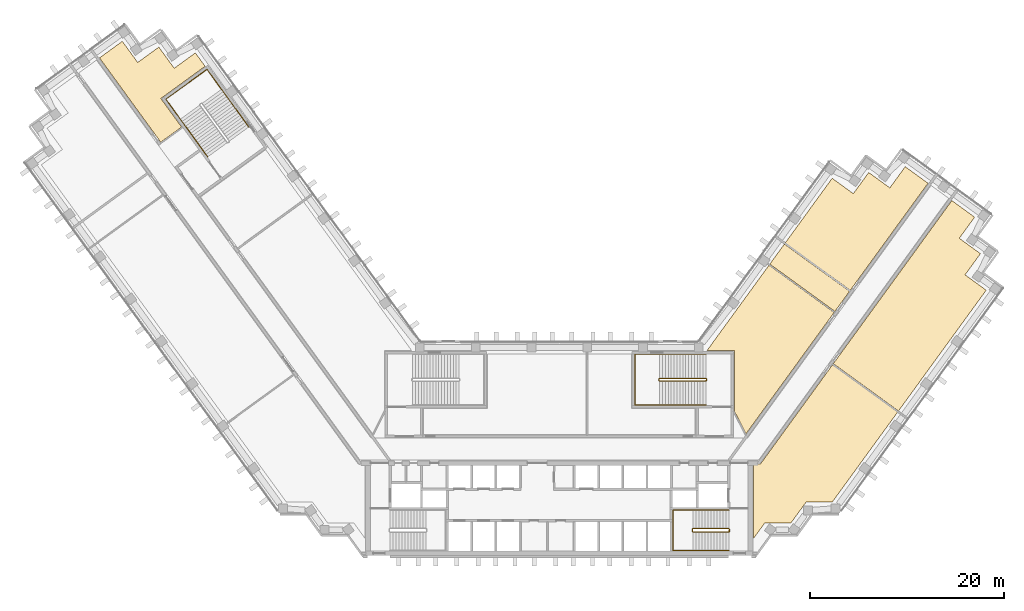
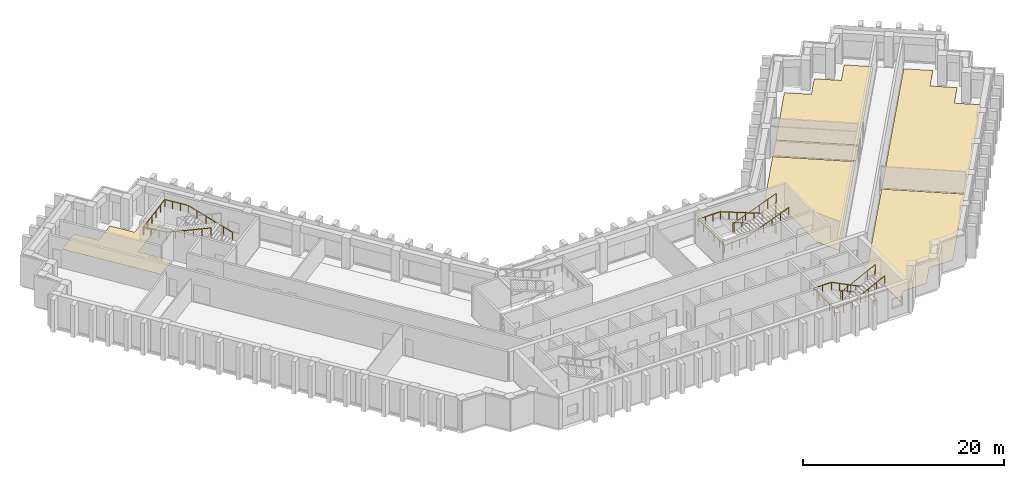
# One storey, part 11 of 11: 6 coverings, 5 railings.
"""IFC4 building model written with IfcOpenShell, lengths in metres."""

from ifc_helpers import new_model, si_unit, direction, frame, origin, origin_2d, place, context, subcontext, project, spatial, polyline, circle, outline, extrude, material, layer, layer_set, type_object, element, save


model = new_model("IFC4")

# Units and contexts
model_context = context("Model", 3, precision=1e-05, world=origin(), true_north=direction((0.0, 1.0)))
body_context = subcontext(model_context, "Body", "Model", "MODEL_VIEW")
ifc_project = project(units=[si_unit("LENGTHUNIT", "METRE"), si_unit("AREAUNIT", "SQUARE_METRE"), si_unit("VOLUMEUNIT", "CUBIC_METRE"), si_unit("PLANEANGLEUNIT", "RADIAN"), si_unit("MASSUNIT", "GRAM", prefix="KILO")], contexts=[model_context])

# Site, building, storey
site_placement = place(None, origin())
site = spatial("IfcSite", under=ifc_project, at=site_placement, CompositionType="ELEMENT")
building_placement = place(site_placement, origin())
building = spatial("IfcBuilding", under=site, at=building_placement, Name="Quipu Civic Tower", CompositionType="ELEMENT")
storey_placement = place(building_placement, frame((0.0, 0.0, 117.0)))
storey = spatial("IfcBuildingStorey", under=building, at=storey_placement, Name="L27", CompositionType="ELEMENT", Elevation=117.0)

# Coverings
ifc_material_1 = material(Name="Carpet tile on raised access floor")
ifc_layer_1 = layer(ifc_material_1, 0.02001953125)
ifc_layer_set_1 = layer_set([ifc_layer_1], Name="Carpet tile on raised access floor")
covering_type_1 = type_object("IfcCoveringType", Name="Carpet tile floor finish 20", PredefinedType="FLOORING", material=ifc_layer_set_1)
covering_1_placement = place(storey_placement, origin())
element("IfcCovering", 1, at=covering_1_placement, inside=storey, type_object=covering_type_1, Name="Carpet tile floor finish 20", PredefinedType="FLOORING", context=body_context, shape_type="SweptSolid", body=[
    extrude(outline(polyline([(15.238037109375, 10.169921875), (21.64794921875, 18.992919921875), (28.37109375, 14.10888671875), (19.27197265625, 1.583984375), (18.070068359375, 3.94189453125), (18.070068359375, 10.1689453125), (15.238037109375, 10.169921875)])), origin(), (0.0, 0.0, 1.0), 0.02001953125),
])
covering_2_placement = place(storey_placement, origin())
element("IfcCovering", 2, at=covering_2_placement, inside=storey, type_object=covering_type_1, Name="Carpet tile floor finish 20", PredefinedType="FLOORING", context=body_context, shape_type="SweptSolid", body=[
    extrude(outline(polyline([(20.070068359375, -9.195068359375), (20.070068359375, -1.52001953125), (20.77490234375, -1.51904296875), (28.208984375, 8.714111328125), (34.931884765625, 3.830078125), (28.181884765625, -5.4609375), (25.48193359375, -5.4619140625), (25.2080078125, -5.840087890625), (25.205078125, -5.841064453125), (25.200927734375, -5.843017578125), (25.197021484375, -5.844970703125), (25.193115234375, -5.847900390625), (25.18896484375, -5.85205078125), (25.18603515625, -5.85498046875), (25.18310546875, -5.85888671875), (25.179931640625, -5.863037109375), (25.177978515625, -5.867919921875), (25.177001953125, -5.8720703125), (25.175048828125, -5.876953125), (25.175048828125, -5.882080078125), (25.174072265625, -5.885986328125), (23.89501953125, -7.64599609375), (21.721923828125, -7.64599609375), (21.721923828125, -7.64599609375), (21.718017578125, -7.64306640625), (21.712890625, -7.64111328125), (21.708984375, -7.638916015625), (21.7041015625, -7.637939453125), (21.698974609375, -7.636962890625), (21.694091796875, -7.635986328125), (21.68896484375, -7.636962890625), (21.68408203125, -7.636962890625), (21.679931640625, -7.637939453125), (21.675048828125, -7.639892578125), (21.669921875, -7.64111328125), (21.666015625, -7.64404296875), (21.6630859375, -7.64599609375), (21.196044921875, -7.64599609375), (20.070068359375, -9.195068359375)])), origin(), (0.0, 0.0, 1.0), 0.02001953125),
])
covering_3_placement = place(storey_placement, origin())
element("IfcCovering", 3, at=covering_3_placement, inside=storey, type_object=covering_type_1, Name="Carpet tile floor finish 20", PredefinedType="FLOORING", context=body_context, shape_type="SweptSolid", body=[
    extrude(outline(polyline([(-47.471923828125, 40.39794921875), (-45.116943359375, 42.10791015625), (-43.531982421875, 39.925048828125), (-41.346923828125, 41.510986328125), (-39.760009765625, 39.326904296875), (-37.574951171875, 40.9130859375), (-36.570068359375, 39.530029296875), (-41.139892578125, 36.208984375), (-38.998046875, 33.260009765625), (-41.15087890625, 31.697021484375), (-47.471923828125, 40.39794921875)])), origin(), (0.0, 0.0, 1.0), 0.02001953125),
])
covering_4_placement = place(storey_placement, origin())
element("IfcCovering", 4, at=covering_4_placement, inside=storey, type_object=covering_type_1, Name="Carpet tile floor finish 20", PredefinedType="FLOORING", context=body_context, shape_type="SweptSolid", body=[
    extrude(outline(polyline([(28.2919921875, 8.826904296875), (40.52587890625, 25.666015625), (42.881103515625, 23.9560546875), (41.294921875, 21.77197265625), (43.47802734375, 20.18505859375), (41.89208984375, 17.9990234375), (44.074951171875, 16.4140625), (35.01611328125, 3.943115234375), (28.2919921875, 8.826904296875)])), origin(), (0.0, 0.0, 1.0), 0.02001953125),
])
ifc_material_2 = material(Name="Ceramic floor tile")
ifc_layer_2 = layer(ifc_material_2, 0.030029296875)
ifc_layer_set_2 = layer_set([ifc_layer_2], Name="Ceramic floor tile")
covering_type_2 = type_object("IfcCoveringType", Name="Ceramic tile floor finish 30", PredefinedType="FLOORING", material=ifc_layer_set_2)
covering_5_placement = place(storey_placement, origin())
element("IfcCovering", 5, at=covering_5_placement, inside=storey, type_object=covering_type_2, Name="Ceramic tile floor finish 30", PredefinedType="FLOORING", context=body_context, shape_type="SweptSolid", body=[
    extrude(outline(polyline([(21.73095703125, 19.10595703125), (23.235107421875, 21.177001953125), (29.9580078125, 16.29296875), (28.4541015625, 14.221923828125), (21.73095703125, 19.10595703125)])), origin(), (0.0, 0.0, 1.0), 0.030029296875),
])
ifc_material_3 = material(Name="Sealed cement screed")
ifc_layer_3 = layer(ifc_material_3, 0.050048828125)
ifc_layer_set_3 = layer_set([ifc_layer_3], Name="Sealed cement screed")
covering_type_3 = type_object("IfcCoveringType", Name="Sealed screed floor finish 50", PredefinedType="FLOORING", material=ifc_layer_set_3)
covering_6_placement = place(storey_placement, origin())
element("IfcCovering", 6, at=covering_6_placement, inside=storey, type_object=covering_type_3, Name="Sealed screed floor finish 50", PredefinedType="FLOORING", context=body_context, shape_type="SweptSolid", body=[
    extrude(outline(polyline([(23.318115234375, 21.2900390625), (28.169921875, 27.968994140625), (30.35400390625, 26.383056640625), (31.94091796875, 28.56591796875), (34.126953125, 26.97998046875), (35.712890625, 29.1640625), (38.06689453125, 27.4541015625), (30.041015625, 16.406005859375), (23.318115234375, 21.2900390625)])), origin(), (0.0, 0.0, 1.0), 0.050048828125),
])

# Railings
ifc_material_4 = material(Name="Stainless steel", Category="steel")
railing_type_1 = type_object("IfcRailingType", Name="Stair guard 1100", PredefinedType="GUARDRAIL", material=ifc_material_4)
railing_1_placement = place(storey_placement, frame((17.5, -8.199951171875, 0.15380859375)))
element("IfcRailing", 7, at=railing_1_placement, inside=storey, type_object=railing_type_1, Name="Stair 2 guard", PredefinedType="GUARDRAIL", context=body_context, shape_type="SweptSolid", body=[
    extrude(circle(Radius=0.02392578125, at=origin_2d()), frame((0.0, 0.0, 1.076171875), z_axis=(-0.895751851347, 0.0, 0.444554407028), x_axis=(0.0, -1.0, 0.0)), (0.0, 0.0, 1.0), 4.15283203125),
    extrude(circle(Radius=0.02392578125, at=origin_2d()), frame((-3.719970703125, 0.0, 2.92236328125), z_axis=(-0.707106781187, -0.707106781187, 0.0), x_axis=(0.707106781187, -0.707106781187, 0.0)), (0.0, 0.0, 1.0), 0.07080078125),
    extrude(circle(Radius=0.02392578125, at=origin_2d()), frame((-3.77001953125, -0.050048828125, 2.92236328125), z_axis=(0.0, -1.0, 0.0), x_axis=(1.0, 0.0, 0.0)), (0.0, 0.0, 1.0), 0.25),
    extrude(circle(Radius=0.02392578125, at=origin_2d()), frame((-3.77001953125, -0.300048828125, 2.92236328125), z_axis=(0.295599637079, -0.295599637079, 0.908428152975), x_axis=(0.707106781187, 0.707106781187, 0.0)), (0.0, 0.0, 1.0), 0.16943359375),
    extrude(circle(Radius=0.02392578125, at=origin_2d()), frame((-3.719970703125, -0.35009765625, 3.076171875), z_axis=(0.895751851347, 0.0, 0.444554407028), x_axis=(0.0, 1.0, 0.0)), (0.0, 0.0, 1.0), 4.15283203125),
    extrude(circle(Radius=0.02392578125, at=origin_2d()), frame((0.0, -0.35009765625, 4.92236328125), z_axis=(0.012476181752, 0.074796231092, -0.997120789425), x_axis=(-0.986372223864, 0.164529134168, 0.0)), (0.0, 0.0, 1.0), 4.011474609375),
    extrude(circle(Radius=0.02392578125, at=origin_2d()), frame((0.050048828125, -0.050048828125, 0.92236328125), z_axis=(0.0, -1.0, 0.0), x_axis=(1.0, 0.0, 0.0)), (0.0, 0.0, 1.0), 0.25),
    extrude(circle(Radius=0.02099609375, at=origin_2d()), origin(), (0.0, 0.0, 1.0), 1.052001953125),
    extrude(circle(Radius=0.02099609375, at=origin_2d()), frame((-0.929931640625, 0.0, 0.46142578125)), (0.0, 0.0, 1.0), 1.052001953125),
    extrude(circle(Radius=0.02099609375, at=origin_2d()), frame((-1.85986328125, 0.0, 0.923095703125)), (0.0, 0.0, 1.0), 1.052001953125),
    extrude(circle(Radius=0.02099609375, at=origin_2d()), frame((-2.7900390625, 0.0, 1.384765625)), (0.0, 0.0, 1.0), 1.052001953125),
    extrude(circle(Radius=0.02099609375, at=origin_2d()), frame((-3.719970703125, 0.0, 1.84619140625)), (0.0, 0.0, 1.0), 1.052001953125),
    extrude(circle(Radius=0.02099609375, at=origin_2d()), frame((-3.77001953125, -0.050048828125, 1.84619140625)), (0.0, 0.0, 1.0), 1.052001953125),
    extrude(circle(Radius=0.02099609375, at=origin_2d()), frame((-3.77001953125, -0.300048828125, 1.84619140625)), (0.0, 0.0, 1.0), 1.052001953125),
    extrude(circle(Radius=0.02099609375, at=origin_2d()), frame((-3.719970703125, -0.35009765625, 2.0)), (0.0, 0.0, 1.0), 1.052001953125),
    extrude(circle(Radius=0.02099609375, at=origin_2d()), frame((-2.7900390625, -0.35009765625, 2.46142578125)), (0.0, 0.0, 1.0), 1.052001953125),
    extrude(circle(Radius=0.02099609375, at=origin_2d()), frame((-1.85986328125, -0.35009765625, 2.923095703125)), (0.0, 0.0, 1.0), 1.052001953125),
    extrude(circle(Radius=0.02099609375, at=origin_2d()), frame((-0.929931640625, -0.35009765625, 3.384765625)), (0.0, 0.0, 1.0), 1.052001953125),
    extrude(circle(Radius=0.02099609375, at=origin_2d()), frame((0.0, -0.35009765625, 3.84619140625)), (0.0, 0.0, 1.0), 1.052001953125),
    extrude(circle(Radius=0.02099609375, at=origin_2d()), frame((0.012451171875, -0.275146484375, 2.84619140625)), (0.0, 0.0, 1.0), 1.052001953125),
    extrude(circle(Radius=0.02099609375, at=origin_2d()), frame((0.02490234375, -0.2001953125, 1.84619140625)), (0.0, 0.0, 1.0), 1.052001953125),
    extrude(circle(Radius=0.02099609375, at=origin_2d()), frame((0.03759765625, -0.125, 0.84619140625)), (0.0, 0.0, 1.0), 1.052001953125),
    extrude(circle(Radius=0.02099609375, at=origin_2d()), frame((0.050048828125, -0.050048828125, -0.15380859375)), (0.0, 0.0, 1.0), 1.052001953125),
    extrude(circle(Radius=0.02099609375, at=origin_2d()), frame((0.050048828125, -0.300048828125, -0.15380859375)), (0.0, 0.0, 1.0), 1.052001953125),
])
railing_2_placement = place(storey_placement, frame((15.14990234375, 7.300048828125, 0.11767578125)))
element("IfcRailing", 8, at=railing_2_placement, inside=storey, type_object=railing_type_1, Name="Stair 4 guard", PredefinedType="GUARDRAIL", context=body_context, shape_type="SweptSolid", body=[
    extrude(circle(Radius=0.02392578125, at=origin_2d()), frame((0.0, 0.0, 1.076171875), z_axis=(-0.930970042603, 0.0, 0.365095576219), x_axis=(0.0, -1.0, 0.0)), (0.0, 0.0, 1.0), 5.15576171875),
    extrude(circle(Radius=0.02392578125, at=origin_2d()), frame((-4.7998046875, 0.0, 2.95849609375), z_axis=(-0.707106781187, -0.707106781187, 0.0), x_axis=(0.707106781187, -0.707106781187, 0.0)), (0.0, 0.0, 1.0), 0.07080078125),
    extrude(circle(Radius=0.02392578125, at=origin_2d()), frame((-4.849853515625, -0.050048828125, 2.95849609375), z_axis=(0.0, -1.0, 0.0), x_axis=(1.0, 0.0, 0.0)), (0.0, 0.0, 1.0), 0.14990234375),
    extrude(circle(Radius=0.02392578125, at=origin_2d()), frame((-4.849853515625, -0.199951171875, 2.95849609375), z_axis=(0.364463019033, -0.364463019033, 0.856932561824), x_axis=(0.707106781187, 0.707106781187, 0.0)), (0.0, 0.0, 1.0), 0.13720703125),
    extrude(circle(Radius=0.02392578125, at=origin_2d()), frame((-4.7998046875, -0.25, 3.076171875), z_axis=(0.930970042603, 0.0, 0.365095576219), x_axis=(0.0, 1.0, 0.0)), (0.0, 0.0, 1.0), 5.15576171875),
    extrude(circle(Radius=0.02392578125, at=origin_2d()), frame((0.0, -0.25, 4.95849609375), z_axis=(0.012495627992, 0.049921557685, -0.998674970829), x_axis=(-0.970072785993, 0.242814311512, 0.0)), (0.0, 0.0, 1.0), 4.00537109375),
    extrude(circle(Radius=0.02392578125, at=origin_2d()), frame((0.050048828125, -0.050048828125, 0.95849609375), z_axis=(0.0, -1.0, 0.0), x_axis=(1.0, 0.0, 0.0)), (0.0, 0.0, 1.0), 0.14990234375),
    extrude(circle(Radius=0.02099609375, at=origin_2d()), origin(), (0.0, 0.0, 1.0), 1.052001953125),
    extrude(circle(Radius=0.02099609375, at=origin_2d()), frame((-0.9599609375, 0.0, 0.37646484375)), (0.0, 0.0, 1.0), 1.052001953125),
    extrude(circle(Radius=0.02099609375, at=origin_2d()), frame((-1.919921875, 0.0, 0.7529296875)), (0.0, 0.0, 1.0), 1.052001953125),
    extrude(circle(Radius=0.02099609375, at=origin_2d()), frame((-2.8798828125, 0.0, 1.12939453125)), (0.0, 0.0, 1.0), 1.052001953125),
    extrude(circle(Radius=0.02099609375, at=origin_2d()), frame((-3.83984375, 0.0, 1.505859375)), (0.0, 0.0, 1.0), 1.052001953125),
    extrude(circle(Radius=0.02099609375, at=origin_2d()), frame((-4.7998046875, 0.0, 1.88232421875)), (0.0, 0.0, 1.0), 1.052001953125),
    extrude(circle(Radius=0.02099609375, at=origin_2d()), frame((-4.849853515625, -0.050048828125, 1.88232421875)), (0.0, 0.0, 1.0), 1.052001953125),
    extrude(circle(Radius=0.02099609375, at=origin_2d()), frame((-4.849853515625, -0.199951171875, 1.88232421875)), (0.0, 0.0, 1.0), 1.052001953125),
    extrude(circle(Radius=0.02099609375, at=origin_2d()), frame((-4.7998046875, -0.25, 2.0)), (0.0, 0.0, 1.0), 1.052001953125),
    extrude(circle(Radius=0.02099609375, at=origin_2d()), frame((-3.83984375, -0.25, 2.37646484375)), (0.0, 0.0, 1.0), 1.052001953125),
    extrude(circle(Radius=0.02099609375, at=origin_2d()), frame((-2.8798828125, -0.25, 2.7529296875)), (0.0, 0.0, 1.0), 1.052001953125),
    extrude(circle(Radius=0.02099609375, at=origin_2d()), frame((-1.919921875, -0.25, 3.12939453125)), (0.0, 0.0, 1.0), 1.052001953125),
    extrude(circle(Radius=0.02099609375, at=origin_2d()), frame((-0.9599609375, -0.25, 3.505859375)), (0.0, 0.0, 1.0), 1.052001953125),
    extrude(circle(Radius=0.02099609375, at=origin_2d()), frame((0.0, -0.25, 3.88232421875)), (0.0, 0.0, 1.0), 1.052001953125),
    extrude(circle(Radius=0.02099609375, at=origin_2d()), frame((0.012451171875, -0.199951171875, 2.88232421875)), (0.0, 0.0, 1.0), 1.052001953125),
    extrude(circle(Radius=0.02099609375, at=origin_2d()), frame((0.02490234375, -0.14990234375, 1.88232421875)), (0.0, 0.0, 1.0), 1.052001953125),
    extrude(circle(Radius=0.02099609375, at=origin_2d()), frame((0.03759765625, -0.10009765625, 0.88232421875)), (0.0, 0.0, 1.0), 1.052001953125),
    extrude(circle(Radius=0.02099609375, at=origin_2d()), frame((0.050048828125, -0.050048828125, -0.11767578125)), (0.0, 0.0, 1.0), 1.052001953125),
    extrude(circle(Radius=0.02099609375, at=origin_2d()), frame((0.050048828125, -0.199951171875, -0.11767578125)), (0.0, 0.0, 1.0), 1.052001953125),
])
ifc_material_5 = material(Name="Stainless steel", Category="steel")
railing_type_2 = type_object("IfcRailingType", Name="Stair handrail", PredefinedType="HANDRAIL", material=ifc_material_5)
railing_3_placement = place(storey_placement, frame((17.5, -6.300048828125, 0.15380859375)))
element("IfcRailing", 9, at=railing_3_placement, inside=storey, type_object=railing_type_2, Name="Stair 2 handrail", PredefinedType="HANDRAIL", context=body_context, shape_type="SweptSolid", body=[
    extrude(circle(Radius=0.02392578125, at=origin_2d()), frame((0.0, 0.0, 0.8759765625), z_axis=(-0.895751851347, 0.0, 0.444554407028), x_axis=(0.0, -1.0, 0.0)), (0.0, 0.0, 1.0), 4.15283203125),
    extrude(circle(Radius=0.02392578125, at=origin_2d()), frame((-3.719970703125, 0.0, 2.72216796875), z_axis=(-1.0, 0.0, 0.0), x_axis=(0.0, -1.0, 0.0)), (0.0, 0.0, 1.0), 2.030029296875),
    extrude(circle(Radius=0.02392578125, at=origin_2d()), frame((-5.75, 0.0, 2.72216796875), z_axis=(0.0, -1.0, 0.0), x_axis=(1.0, 0.0, 0.0)), (0.0, 0.0, 1.0), 4.14990234375),
    extrude(circle(Radius=0.02392578125, at=origin_2d()), frame((-5.75, -4.14990234375, 2.72216796875), z_axis=(0.997142003663, 0.0, 0.075550145798), x_axis=(0.0, 1.0, 0.0)), (0.0, 0.0, 1.0), 2.035888671875),
    extrude(circle(Radius=0.02392578125, at=origin_2d()), frame((-3.719970703125, -4.14990234375, 2.8759765625), z_axis=(0.895751851347, 0.0, 0.444554407028), x_axis=(0.0, 1.0, 0.0)), (0.0, 0.0, 1.0), 4.15283203125),
    extrude(circle(Radius=0.02099609375, at=origin_2d()), origin(), (0.0, 0.0, 1.0), 0.851806640625),
    extrude(circle(Radius=0.02099609375, at=origin_2d()), frame((-0.929931640625, 0.0, 0.46142578125)), (0.0, 0.0, 1.0), 0.851806640625),
    extrude(circle(Radius=0.02099609375, at=origin_2d()), frame((-1.85986328125, 0.0, 0.923095703125)), (0.0, 0.0, 1.0), 0.851806640625),
    extrude(circle(Radius=0.02099609375, at=origin_2d()), frame((-2.7900390625, 0.0, 1.384765625)), (0.0, 0.0, 1.0), 0.851806640625),
    extrude(circle(Radius=0.02099609375, at=origin_2d()), frame((-3.719970703125, 0.0, 1.84619140625)), (0.0, 0.0, 1.0), 0.851806640625),
    extrude(circle(Radius=0.02099609375, at=origin_2d()), frame((-4.73486328125, 0.0, 1.84619140625)), (0.0, 0.0, 1.0), 0.851806640625),
    extrude(circle(Radius=0.02099609375, at=origin_2d()), frame((-5.75, 0.0, 1.84619140625)), (0.0, 0.0, 1.0), 0.851806640625),
    extrude(circle(Radius=0.02099609375, at=origin_2d()), frame((-5.75, -1.03759765625, 1.84619140625)), (0.0, 0.0, 1.0), 0.851806640625),
    extrude(circle(Radius=0.02099609375, at=origin_2d()), frame((-5.75, -2.074951171875, 1.84619140625)), (0.0, 0.0, 1.0), 0.851806640625),
    extrude(circle(Radius=0.02099609375, at=origin_2d()), frame((-5.75, -3.1123046875, 1.84619140625)), (0.0, 0.0, 1.0), 0.851806640625),
    extrude(circle(Radius=0.02099609375, at=origin_2d()), frame((-5.75, -4.14990234375, 1.84619140625)), (0.0, 0.0, 1.0), 0.851806640625),
    extrude(circle(Radius=0.02099609375, at=origin_2d()), frame((-4.73486328125, -4.14990234375, 1.923095703125)), (0.0, 0.0, 1.0), 0.851806640625),
    extrude(circle(Radius=0.02099609375, at=origin_2d()), frame((-3.719970703125, -4.14990234375, 2.0)), (0.0, 0.0, 1.0), 0.851806640625),
    extrude(circle(Radius=0.02099609375, at=origin_2d()), frame((-2.7900390625, -4.14990234375, 2.46142578125)), (0.0, 0.0, 1.0), 0.851806640625),
    extrude(circle(Radius=0.02099609375, at=origin_2d()), frame((-1.85986328125, -4.14990234375, 2.923095703125)), (0.0, 0.0, 1.0), 0.851806640625),
    extrude(circle(Radius=0.02099609375, at=origin_2d()), frame((-0.929931640625, -4.14990234375, 3.384765625)), (0.0, 0.0, 1.0), 0.851806640625),
    extrude(circle(Radius=0.02099609375, at=origin_2d()), frame((0.0, -4.14990234375, 3.84619140625)), (0.0, 0.0, 1.0), 0.851806640625),
])
railing_4_placement = place(storey_placement, frame((15.14990234375, 9.800048828125, 0.11767578125)))
element("IfcRailing", 10, at=railing_4_placement, inside=storey, type_object=railing_type_2, Name="Stair 4 handrail", PredefinedType="HANDRAIL", context=body_context, shape_type="SweptSolid", body=[
    extrude(circle(Radius=0.02392578125, at=origin_2d()), frame((0.0, 0.0, 0.8759765625), z_axis=(-0.930970042603, 0.0, 0.365095576219), x_axis=(0.0, -1.0, 0.0)), (0.0, 0.0, 1.0), 5.15576171875),
    extrude(circle(Radius=0.02392578125, at=origin_2d()), frame((-4.7998046875, 0.0, 2.75830078125), z_axis=(-1.0, 0.0, 0.0), x_axis=(0.0, -1.0, 0.0)), (0.0, 0.0, 1.0), 2.550048828125),
    extrude(circle(Radius=0.02392578125, at=origin_2d()), frame((-7.349853515625, 0.0, 2.75830078125), z_axis=(0.0, -1.0, 0.0), x_axis=(1.0, 0.0, 0.0)), (0.0, 0.0, 1.0), 5.25),
    extrude(circle(Radius=0.02392578125, at=origin_2d()), frame((-7.349853515625, -5.25, 2.75830078125), z_axis=(0.998936948642, 0.0, 0.04609742549), x_axis=(0.0, 1.0, 0.0)), (0.0, 0.0, 1.0), 2.552734375),
    extrude(circle(Radius=0.02392578125, at=origin_2d()), frame((-4.7998046875, -5.25, 2.8759765625), z_axis=(0.930970042603, 0.0, 0.365095576219), x_axis=(0.0, 1.0, 0.0)), (0.0, 0.0, 1.0), 5.15576171875),
    extrude(circle(Radius=0.02099609375, at=origin_2d()), origin(), (0.0, 0.0, 1.0), 0.851806640625),
    extrude(circle(Radius=0.02099609375, at=origin_2d()), frame((-0.9599609375, 0.0, 0.37646484375)), (0.0, 0.0, 1.0), 0.851806640625),
    extrude(circle(Radius=0.02099609375, at=origin_2d()), frame((-1.919921875, 0.0, 0.7529296875)), (0.0, 0.0, 1.0), 0.851806640625),
    extrude(circle(Radius=0.02099609375, at=origin_2d()), frame((-2.8798828125, 0.0, 1.12939453125)), (0.0, 0.0, 1.0), 0.851806640625),
    extrude(circle(Radius=0.02099609375, at=origin_2d()), frame((-3.83984375, 0.0, 1.505859375)), (0.0, 0.0, 1.0), 0.851806640625),
    extrude(circle(Radius=0.02099609375, at=origin_2d()), frame((-4.7998046875, 0.0, 1.88232421875)), (0.0, 0.0, 1.0), 0.851806640625),
    extrude(circle(Radius=0.02099609375, at=origin_2d()), frame((-5.64990234375, 0.0, 1.88232421875)), (0.0, 0.0, 1.0), 0.851806640625),
    extrude(circle(Radius=0.02099609375, at=origin_2d()), frame((-6.499755859375, 0.0, 1.88232421875)), (0.0, 0.0, 1.0), 0.851806640625),
    extrude(circle(Radius=0.02099609375, at=origin_2d()), frame((-7.349853515625, 0.0, 1.88232421875)), (0.0, 0.0, 1.0), 0.851806640625),
    extrude(circle(Radius=0.02099609375, at=origin_2d()), frame((-7.349853515625, -1.050048828125, 1.88232421875)), (0.0, 0.0, 1.0), 0.851806640625),
    extrude(circle(Radius=0.02099609375, at=origin_2d()), frame((-7.349853515625, -2.10009765625, 1.88232421875)), (0.0, 0.0, 1.0), 0.851806640625),
    extrude(circle(Radius=0.02099609375, at=origin_2d()), frame((-7.349853515625, -3.14990234375, 1.88232421875)), (0.0, 0.0, 1.0), 0.851806640625),
    extrude(circle(Radius=0.02099609375, at=origin_2d()), frame((-7.349853515625, -4.199951171875, 1.88232421875)), (0.0, 0.0, 1.0), 0.851806640625),
    extrude(circle(Radius=0.02099609375, at=origin_2d()), frame((-7.349853515625, -5.25, 1.88232421875)), (0.0, 0.0, 1.0), 0.851806640625),
    extrude(circle(Radius=0.02099609375, at=origin_2d()), frame((-6.499755859375, -5.25, 1.921630859375)), (0.0, 0.0, 1.0), 0.851806640625),
    extrude(circle(Radius=0.02099609375, at=origin_2d()), frame((-5.64990234375, -5.25, 1.960693359375)), (0.0, 0.0, 1.0), 0.851806640625),
    extrude(circle(Radius=0.02099609375, at=origin_2d()), frame((-4.7998046875, -5.25, 2.0)), (0.0, 0.0, 1.0), 0.851806640625),
    extrude(circle(Radius=0.02099609375, at=origin_2d()), frame((-3.83984375, -5.25, 2.37646484375)), (0.0, 0.0, 1.0), 0.851806640625),
    extrude(circle(Radius=0.02099609375, at=origin_2d()), frame((-2.8798828125, -5.25, 2.7529296875)), (0.0, 0.0, 1.0), 0.851806640625),
    extrude(circle(Radius=0.02099609375, at=origin_2d()), frame((-1.919921875, -5.25, 3.12939453125)), (0.0, 0.0, 1.0), 0.851806640625),
    extrude(circle(Radius=0.02099609375, at=origin_2d()), frame((-0.9599609375, -5.25, 3.505859375)), (0.0, 0.0, 1.0), 0.851806640625),
    extrude(circle(Radius=0.02099609375, at=origin_2d()), frame((0.0, -5.25, 3.88232421875)), (0.0, 0.0, 1.0), 0.851806640625),
])
railing_5_placement = place(storey_placement, frame((-32.056396484375, 33.266845703125, 0.11767578125)))
element("IfcRailing", 11, at=railing_5_placement, inside=storey, type_object=railing_type_2, Name="Stair 6 handrail", PredefinedType="HANDRAIL", context=body_context, shape_type="SweptSolid", body=[
    extrude(circle(Radius=0.02392578125, at=origin_2d()), frame((0.0, 0.0, 0.8759765625), z_axis=(-0.54720100349, 0.753182689643, 0.365084781664), x_axis=(-0.809026317077, -0.587772420479, 0.0)), (0.0, 0.0, 1.0), 5.15576171875),
    extrude(circle(Radius=0.02392578125, at=origin_2d()), frame((-2.8212890625, 3.88330078125, 2.75830078125), z_axis=(-0.587767432704, 0.809029940764, 0.0), x_axis=(-0.809029940764, -0.587767432704, 0.0)), (0.0, 0.0, 1.0), 2.550048828125),
    extrude(circle(Radius=0.02392578125, at=origin_2d()), frame((-4.320068359375, 5.9462890625, 2.75830078125), z_axis=(-0.809009483706, -0.587795589702, 0.0), x_axis=(0.587795589702, -0.809009483706, 0.0)), (0.0, 0.0, 1.0), 5.25),
    extrude(circle(Radius=0.02392578125, at=origin_2d()), frame((-8.5673828125, 2.8603515625, 2.75830078125), z_axis=(0.587142558822, -0.808169835812, 0.046099155132), x_axis=(0.809029940764, 0.587767432704, 0.0)), (0.0, 0.0, 1.0), 2.552734375),
    extrude(circle(Radius=0.02392578125, at=origin_2d()), frame((-7.068603515625, 0.79736328125, 2.8759765625), z_axis=(0.54720100349, -0.753182689643, 0.365084781664), x_axis=(0.809026317077, 0.587772420479, 0.0)), (0.0, 0.0, 1.0), 5.15576171875),
    extrude(circle(Radius=0.02099609375, at=origin_2d()), origin(), (0.0, 0.0, 1.0), 0.851806640625),
    extrude(circle(Radius=0.02099609375, at=origin_2d()), frame((-0.564208984375, 0.776611328125, 0.37646484375)), (0.0, 0.0, 1.0), 0.851806640625),
    extrude(circle(Radius=0.02099609375, at=origin_2d()), frame((-1.12841796875, 1.55322265625, 0.7529296875)), (0.0, 0.0, 1.0), 0.851806640625),
    extrude(circle(Radius=0.02099609375, at=origin_2d()), frame((-1.69287109375, 2.330078125, 1.12939453125)), (0.0, 0.0, 1.0), 0.851806640625),
    extrude(circle(Radius=0.02099609375, at=origin_2d()), frame((-2.257080078125, 3.106689453125, 1.505859375)), (0.0, 0.0, 1.0), 0.851806640625),
    extrude(circle(Radius=0.02099609375, at=origin_2d()), frame((-2.8212890625, 3.88330078125, 1.88232421875)), (0.0, 0.0, 1.0), 0.851806640625),
    extrude(circle(Radius=0.02099609375, at=origin_2d()), frame((-3.32080078125, 4.571044921875, 1.88232421875)), (0.0, 0.0, 1.0), 0.851806640625),
    extrude(circle(Radius=0.02099609375, at=origin_2d()), frame((-3.820556640625, 5.258544921875, 1.88232421875)), (0.0, 0.0, 1.0), 0.851806640625),
    extrude(circle(Radius=0.02099609375, at=origin_2d()), frame((-4.320068359375, 5.9462890625, 1.88232421875)), (0.0, 0.0, 1.0), 0.851806640625),
    extrude(circle(Radius=0.02099609375, at=origin_2d()), frame((-5.16943359375, 5.3291015625, 1.88232421875)), (0.0, 0.0, 1.0), 0.851806640625),
    extrude(circle(Radius=0.02099609375, at=origin_2d()), frame((-6.01904296875, 4.7119140625, 1.88232421875)), (0.0, 0.0, 1.0), 0.851806640625),
    extrude(circle(Radius=0.02099609375, at=origin_2d()), frame((-6.868408203125, 4.0947265625, 1.88232421875)), (0.0, 0.0, 1.0), 0.851806640625),
    extrude(circle(Radius=0.02099609375, at=origin_2d()), frame((-7.718017578125, 3.4775390625, 1.88232421875)), (0.0, 0.0, 1.0), 0.851806640625),
    extrude(circle(Radius=0.02099609375, at=origin_2d()), frame((-8.5673828125, 2.8603515625, 1.88232421875)), (0.0, 0.0, 1.0), 0.851806640625),
    extrude(circle(Radius=0.02099609375, at=origin_2d()), frame((-8.06787109375, 2.172607421875, 1.921630859375)), (0.0, 0.0, 1.0), 0.851806640625),
    extrude(circle(Radius=0.02099609375, at=origin_2d()), frame((-7.568115234375, 1.485107421875, 1.960693359375)), (0.0, 0.0, 1.0), 0.851806640625),
    extrude(circle(Radius=0.02099609375, at=origin_2d()), frame((-7.068603515625, 0.79736328125, 2.0)), (0.0, 0.0, 1.0), 0.851806640625),
    extrude(circle(Radius=0.02099609375, at=origin_2d()), frame((-6.50439453125, 0.020751953125, 2.37646484375)), (0.0, 0.0, 1.0), 0.851806640625),
    extrude(circle(Radius=0.02099609375, at=origin_2d()), frame((-5.940185546875, -0.755859375, 2.7529296875)), (0.0, 0.0, 1.0), 0.851806640625),
    extrude(circle(Radius=0.02099609375, at=origin_2d()), frame((-5.375732421875, -1.53271484375, 3.12939453125)), (0.0, 0.0, 1.0), 0.851806640625),
    extrude(circle(Radius=0.02099609375, at=origin_2d()), frame((-4.8115234375, -2.309326171875, 3.505859375)), (0.0, 0.0, 1.0), 0.851806640625),
    extrude(circle(Radius=0.02099609375, at=origin_2d()), frame((-4.247314453125, -3.0859375, 3.88232421875)), (0.0, 0.0, 1.0), 0.851806640625),
])

save(model, "model.ifc")
